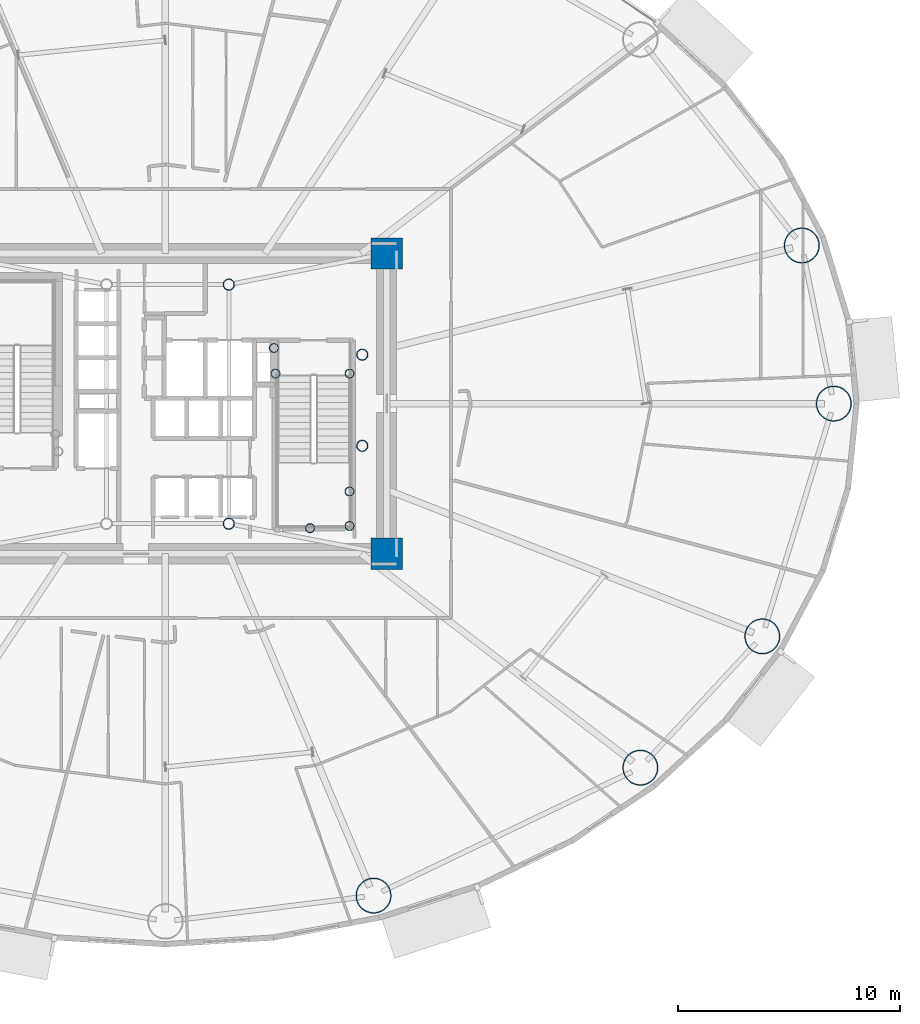
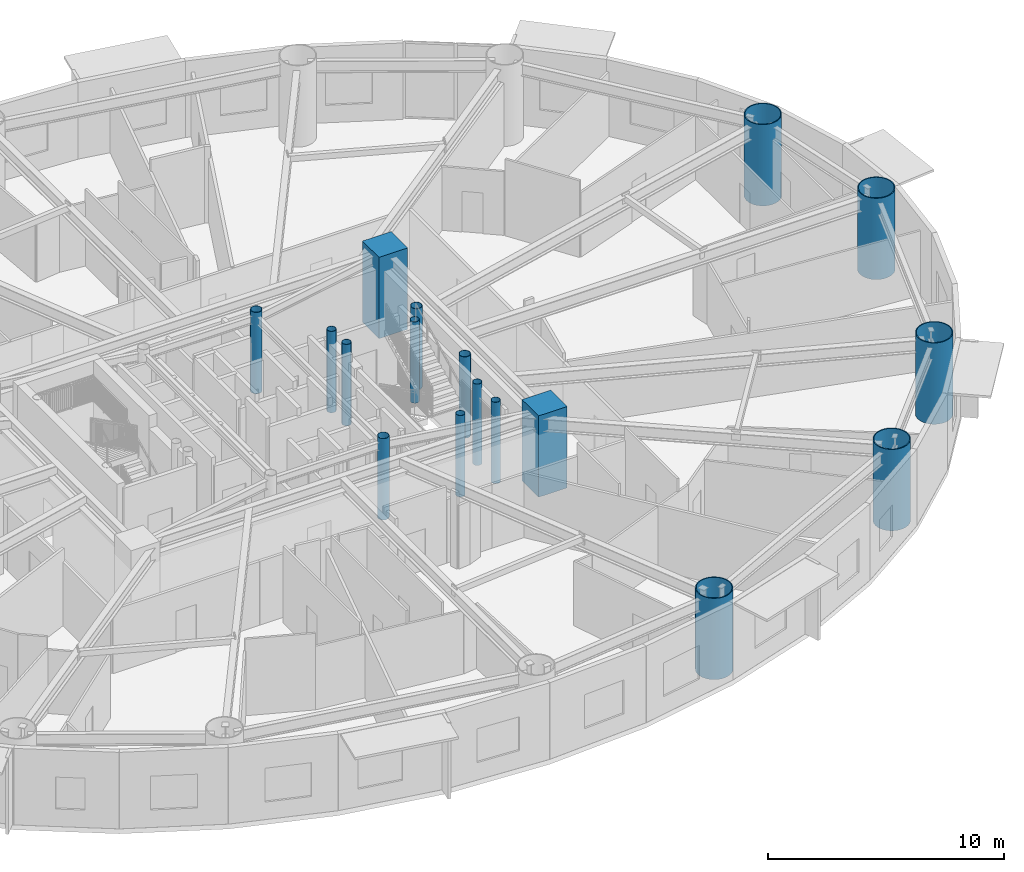
# One storey, part 2 of 24: 17 columns.
"""IFC4 building model written with IfcOpenShell, lengths in metres."""

from ifc_helpers import new_model, si_unit, direction, frame, origin, origin_2d, place, context, subcontext, project, spatial, rectangle, hollow_circle, extrude, material, material_profile, profile_set, type_object, element, save


model = new_model("IFC4")

# Units and contexts
model_context = context("Model", 3, precision=1e-05, world=origin(), true_north=direction((0.0, 1.0)))
body_context = subcontext(model_context, "Body", "Model", "MODEL_VIEW")
ifc_project = project(units=[si_unit("LENGTHUNIT", "METRE"), si_unit("AREAUNIT", "SQUARE_METRE"), si_unit("VOLUMEUNIT", "CUBIC_METRE"), si_unit("PLANEANGLEUNIT", "RADIAN"), si_unit("MASSUNIT", "GRAM", prefix="KILO")], contexts=[model_context])

# Site, building, storey
site_placement = place(None, origin())
site = spatial("IfcSite", under=ifc_project, at=site_placement, CompositionType="ELEMENT")
building_placement = place(site_placement, origin())
building = spatial("IfcBuilding", under=site, at=building_placement, Name="Linh Dai School and Residence Tower", CompositionType="ELEMENT")
storey_placement = place(building_placement, frame((0.0, 0.0, 74.39990234375)))
storey = spatial("IfcBuildingStorey", under=building, at=storey_placement, Name="L17", CompositionType="ELEMENT", Elevation=74.39990234375)

# Columns
ifc_material_1 = material(Name="Concrete B60 (C50/60)", Category="concrete")
ifc_material_profile_1 = material_profile(ifc_material_1, rectangle(XDim=1.39990234375, YDim=1.39990234375, at=origin_2d()), Name="RC 1400x1400")
ifc_profile_set_1 = profile_set([ifc_material_profile_1], Name="Concrete B60 (C50/60)")
column_type_1 = type_object("IfcColumnType", Name="COL-CC1", PredefinedType="COLUMN", material=ifc_profile_set_1)
for number, where, z_axis, x_axis, name in (
    (1, (45.949951171875, 20.25, 0.0), (0.0, 0.0, 1.0), (1.0, 0.0, 0.0), "L17 Core Corner Pier CC2"),
    (2, (45.949951171875, 33.75, 0.0), (0.0, 0.0, 1.0), (1.0, 0.0, 0.0), "L17 Core Corner Pier CC3"),
):
    element("IfcColumn", number, at=place(storey_placement, frame(where, z_axis=z_axis, x_axis=x_axis)), inside=storey, type_object=column_type_1, Name=name, PredefinedType="COLUMN", context=body_context, shape_type="SweptSolid", body=[
        extrude(rectangle(XDim=1.39990234375, YDim=1.39990234375, at=origin_2d()), origin(), (0.0, 0.0, 1.0), 4.2001953125),
    ])
ifc_material_2 = material(Name="Structural Steel S355JR", Category="steel")
ifc_material_profile_2 = material_profile(ifc_material_2, hollow_circle(Radius=0.203125, WallThickness=0.01611328125, at=origin_2d()), Name="CHS 406.4x16")
ifc_profile_set_2 = profile_set([ifc_material_profile_2], Name="Structural Steel S355JR")
column_type_2 = type_object("IfcColumnType", Name="COL-EC", PredefinedType="COLUMN", material=ifc_profile_set_2)
for number, where, z_axis, x_axis, name in (
    (3, (44.280029296875, 21.5, 0.0), (0.0, 0.0, 1.0), (1.0, 0.0, 0.0), "L17 Stair Shaft Landing Support Pier ST2SE"),
    (4, (44.280029296875, 23.050048828125, 0.0), (0.0, 0.0, 1.0), (1.0, 0.0, 0.0), "L17 Stair Shaft Landing Support Pier ST2NE"),
    (5, (42.5, 21.39990234375, 0.0), (0.0, 0.0, 1.0), (1.0, 0.0, 0.0), "L17 Stair Shaft Landing Support Pier ST2MS"),
    (6, (40.949951171875, 28.35009765625, 0.0), (0.0, 0.0, 1.0), (1.0, 0.0, 0.0), "L17 Stair Shaft Landing Support Pier ST2N1"),
    (7, (44.280029296875, 28.35009765625, 0.0), (0.0, 0.0, 1.0), (1.0, 0.0, 0.0), "L17 Stair Shaft Landing Support Pier ST2N2"),
    (8, (40.8798828125, 29.5, 0.0), (0.0, 0.0, 1.0), (1.0, 0.0, 0.0), "L17 Stair Shaft Landing Support Pier ST2N3"),
):
    element("IfcColumn", number, at=place(storey_placement, frame(where, z_axis=z_axis, x_axis=x_axis)), inside=storey, type_object=column_type_2, Name=name, PredefinedType="COLUMN", context=body_context, shape_type="SweptSolid", body=[
        extrude(hollow_circle(Radius=0.203125, WallThickness=0.01611328125, at=origin_2d()), origin(), (0.0, 0.0, 1.0), 4.2001953125),
    ])
ifc_material_profile_3 = material_profile(ifc_material_2, hollow_circle(Radius=0.800048828125, WallThickness=0.044921875, at=origin_2d()), Name="CHS 1600x45")
ifc_profile_set_3 = profile_set([ifc_material_profile_3], Name="Structural Steel S355JR")
column_type_3 = type_object("IfcColumnType", Name="COL-MC2", PredefinedType="COLUMN", material=ifc_profile_set_3)
for number, where, z_axis, x_axis, name in (
    (9, (66.050048828125, 27.0, 0.0), (0.0, 0.0, 1.0), (1.0, 0.0, 0.0), "L17 Perimeter CFT Mega-Column MC01"),
    (10, (64.61083984375, 34.108642578125, 0.0), (0.0, 0.0, 1.0), (1.0, 0.0, 0.0), "L17 Perimeter CFT Mega-Column MC02"),
    (11, (45.357666015625, 4.880126953125, 0.0), (0.0, 0.0, 1.0), (1.0, 0.0, 0.0), "L17 Perimeter CFT Mega-Column MC14"),
    (12, (57.352783203125, 10.630859375, 0.0), (0.0, 0.0, 1.0), (1.0, 0.0, 0.0), "L17 Perimeter CFT Mega-Column MC15"),
    (13, (62.83544921875, 16.5361328125, 0.0), (0.0, 0.0, 1.0), (1.0, 0.0, 0.0), "L17 Perimeter CFT Mega-Column MC16"),
):
    element("IfcColumn", number, at=place(storey_placement, frame(where, z_axis=z_axis, x_axis=x_axis)), inside=storey, type_object=column_type_3, Name=name, PredefinedType="COLUMN", context=body_context, shape_type="SweptSolid", body=[
        extrude(hollow_circle(Radius=0.800048828125, WallThickness=0.044921875, at=origin_2d()), origin(), (0.0, 0.0, 1.0), 4.2001953125),
    ])
ifc_material_profile_4 = material_profile(ifc_material_2, hollow_circle(Radius=0.25390625, WallThickness=0.02001953125, at=origin_2d()), Name="CHS 508x20")
ifc_profile_set_4 = profile_set([ifc_material_profile_4], Name="Structural Steel S355JR")
column_type_4 = type_object("IfcColumnType", Name="COL-MCP", PredefinedType="COLUMN", material=ifc_profile_set_4)
for number, where, z_axis, x_axis, name in (
    (14, (38.85009765625, 21.60009765625, 0.0), (0.0, 0.0, 1.0), (1.0, 0.0, 0.0), "L17 Core Mast Support Pier MCP2"),
    (15, (38.85009765625, 32.35009765625, 0.0), (0.0, 0.0, 1.0), (1.0, 0.0, 0.0), "L17 Core Mast Support Pier MCP3"),
    (16, (44.85009765625, 25.10009765625, 0.0), (0.0, 0.0, 1.0), (1.0, 0.0, 0.0), "L17 Sky-Lounge Core Anchor Pier S"),
    (17, (44.85009765625, 29.199951171875, 0.0), (0.0, 0.0, 1.0), (1.0, 0.0, 0.0), "L17 Sky-Lounge Core Anchor Pier N"),
):
    element("IfcColumn", number, at=place(storey_placement, frame(where, z_axis=z_axis, x_axis=x_axis)), inside=storey, type_object=column_type_4, Name=name, PredefinedType="COLUMN", context=body_context, shape_type="SweptSolid", body=[
        extrude(hollow_circle(Radius=0.25390625, WallThickness=0.02001953125, at=origin_2d()), origin(), (0.0, 0.0, 1.0), 4.2001953125),
    ])

save(model, "model.ifc")
